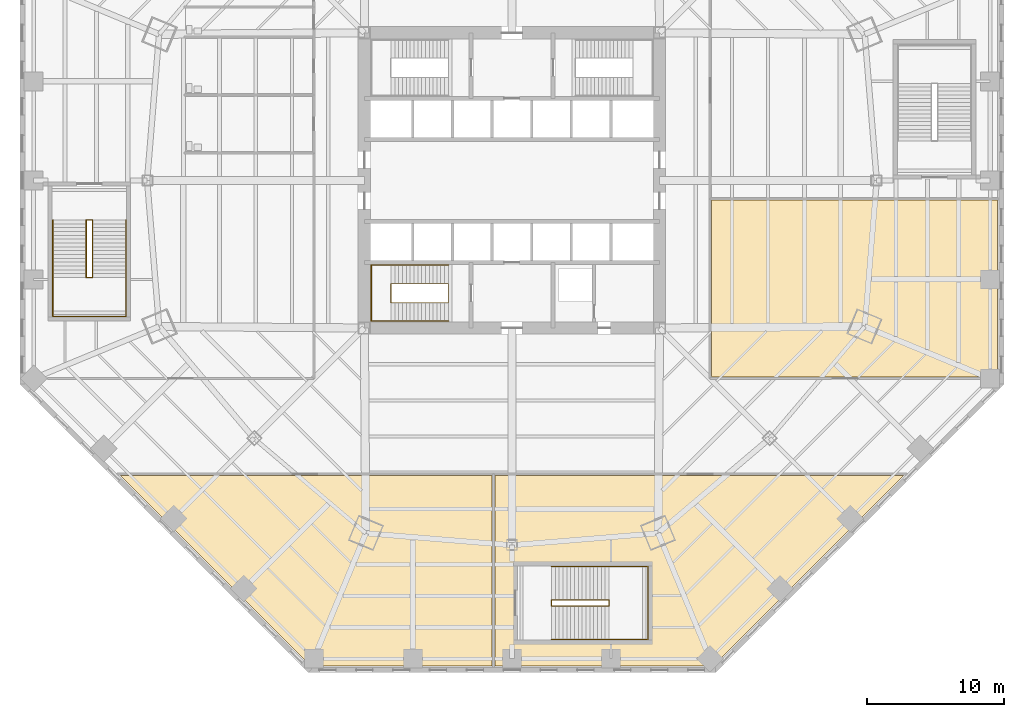
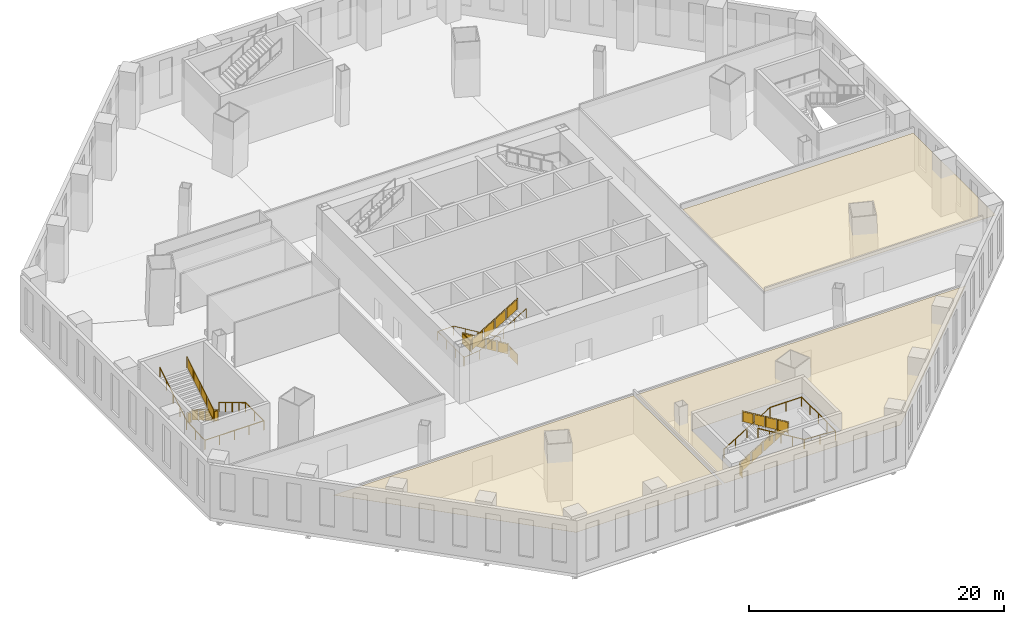
# One storey, part 15 of 18: 6 railings, 3 coverings.
"""IFC4 building model written with IfcOpenShell, lengths in metres."""

from ifc_helpers import new_model, si_unit, direction, frame, origin, origin_2d, place, context, subcontext, project, spatial, polyline, circle, outline, extrude, material, layer, layer_set, type_object, element, save


model = new_model("IFC4")

# Units and contexts
model_context = context("Model", 3, precision=1e-05, world=origin(), true_north=direction((0.0, 1.0)))
body_context = subcontext(model_context, "Body", "Model", "MODEL_VIEW")
ifc_project = project(units=[si_unit("LENGTHUNIT", "METRE"), si_unit("AREAUNIT", "SQUARE_METRE"), si_unit("VOLUMEUNIT", "CUBIC_METRE"), si_unit("PLANEANGLEUNIT", "RADIAN"), si_unit("MASSUNIT", "GRAM", prefix="KILO")], contexts=[model_context])

# Site, building, storey
site_placement = place(None, origin())
site = spatial("IfcSite", under=ifc_project, at=site_placement, CompositionType="ELEMENT")
building_placement = place(site_placement, origin())
building = spatial("IfcBuilding", under=site, at=building_placement, Name="Mashrafa Tower", CompositionType="ELEMENT")
storey_placement = place(building_placement, frame((0.0, 0.0, 18.60009765625)))
storey = spatial("IfcBuildingStorey", under=building, at=storey_placement, Name="L03", CompositionType="ELEMENT", Elevation=18.60009765625)

# Railings
ifc_material_1 = material(Name="Steel guard with glass infill", Category="steel")
railing_type_1 = type_object("IfcRailingType", Name="Stair guard 1100", PredefinedType="GUARDRAIL", material=ifc_material_1)
railing_1_placement = place(storey_placement, frame((-4.64990234375, -8.949951171875, 0.0)))
element("IfcRailing", 1, at=railing_1_placement, inside=storey, type_object=railing_type_1, Name="Stair S3 guard L03", PredefinedType="GUARDRAIL", context=body_context, shape_type="SweptSolid", body=[
    extrude(circle(Radius=0.02392578125, at=origin_2d()), frame((0.0, 0.0, 1.076171875), z_axis=(0.0, 1.0, 0.0), x_axis=(-1.0, 0.0, 0.0)), (0.0, 0.0, 1.0), 1.39990234375),
    extrude(circle(Radius=0.02392578125, at=origin_2d()), frame((0.0, 1.39990234375, 1.076171875), z_axis=(0.0, 0.0, 1.0), x_axis=(1.0, 0.0, 0.0)), (0.0, 0.0, 1.0), 0.168701171875),
    extrude(circle(Radius=0.02392578125, at=origin_2d()), frame((0.0, 1.39990234375, 1.24462890625), z_axis=(-0.856489757249, 0.0, 0.516164020179), x_axis=(0.0, -1.0, 0.0)), (0.0, 0.0, 1.0), 4.904052734375),
    extrude(circle(Radius=0.02392578125, at=origin_2d()), frame((-4.2001953125, 1.39990234375, 3.77587890625), z_axis=(0.0, -1.0, 0.0), x_axis=(1.0, 0.0, 0.0)), (0.0, 0.0, 1.0), 1.39990234375),
    extrude(circle(Radius=0.02392578125, at=origin_2d()), frame((-4.2001953125, 0.0, 3.77587890625), z_axis=(0.0, 0.0, 1.0), x_axis=(1.0, 0.0, 0.0)), (0.0, 0.0, 1.0), 0.168701171875),
    extrude(circle(Radius=0.02392578125, at=origin_2d()), frame((-4.2001953125, 0.0, 3.94482421875), z_axis=(0.856489757249, 0.0, 0.516164020179), x_axis=(0.0, 1.0, 0.0)), (0.0, 0.0, 1.0), 4.904052734375),
    extrude(circle(Radius=0.02099609375, at=origin_2d()), origin(), (0.0, 0.0, 1.0), 1.052001953125),
    extrude(circle(Radius=0.02099609375, at=origin_2d()), frame((0.0, 1.39990234375, 0.0)), (0.0, 0.0, 1.0), 1.052001953125),
    extrude(circle(Radius=0.02099609375, at=origin_2d()), frame((0.0, 1.39990234375, 0.168701171875)), (0.0, 0.0, 1.0), 1.052001953125),
    extrude(circle(Radius=0.02099609375, at=origin_2d()), frame((-1.050048828125, 1.39990234375, 0.801513671875)), (0.0, 0.0, 1.0), 1.052001953125),
    extrude(circle(Radius=0.02099609375, at=origin_2d()), frame((-2.10009765625, 1.39990234375, 1.434326171875)), (0.0, 0.0, 1.0), 1.052001953125),
    extrude(circle(Radius=0.02099609375, at=origin_2d()), frame((-3.150146484375, 1.39990234375, 2.067138671875)), (0.0, 0.0, 1.0), 1.052001953125),
    extrude(circle(Radius=0.02099609375, at=origin_2d()), frame((-4.2001953125, 1.39990234375, 2.699951171875)), (0.0, 0.0, 1.0), 1.052001953125),
    extrude(circle(Radius=0.02099609375, at=origin_2d()), frame((-4.2001953125, 0.0, 2.699951171875)), (0.0, 0.0, 1.0), 1.052001953125),
    extrude(circle(Radius=0.02099609375, at=origin_2d()), frame((-4.2001953125, 0.0, 2.86865234375)), (0.0, 0.0, 1.0), 1.052001953125),
    extrude(circle(Radius=0.02099609375, at=origin_2d()), frame((-3.150146484375, 0.0, 3.50146484375)), (0.0, 0.0, 1.0), 1.052001953125),
    extrude(circle(Radius=0.02099609375, at=origin_2d()), frame((-2.10009765625, 0.0, 4.13427734375)), (0.0, 0.0, 1.0), 1.052001953125),
    extrude(circle(Radius=0.02099609375, at=origin_2d()), frame((-1.050048828125, 0.0, 4.76708984375)), (0.0, 0.0, 1.0), 1.052001953125),
    extrude(circle(Radius=0.02099609375, at=origin_2d()), frame((0.0, 0.0, 5.39990234375)), (0.0, 0.0, 1.0), 1.052001953125),
    extrude(outline(polyline([(0.071044921875, 0.050048828125), (1.328857421875, 0.050048828125), (1.328857421875, 1.001953125), (0.071044921875, 1.001953125), (0.071044921875, 0.050048828125)])), frame((0.006103515625, 0.0, 0.0), z_axis=(1.0, 0.0, 0.0), x_axis=(0.0, 1.0, 0.0)), (0.0, 0.0, 1.0), 0.011962890625),
    extrude(outline(polyline([(0.071044921875, 0.0927734375), (0.97900390625, 0.64013671875), (0.97900390625, 1.592041015625), (0.071044921875, 1.044677734375), (0.071044921875, 0.0927734375)])), frame((0.0, 1.406005859375, 0.168701171875), z_axis=(0.0, 1.0, 0.0), x_axis=(-1.0, 0.0, 0.0)), (0.0, 0.0, 1.0), 0.011962890625),
    extrude(outline(polyline([(1.12109375, 0.7255859375), (2.029052734375, 1.27294921875), (2.029052734375, 2.224853515625), (1.12109375, 1.677490234375), (1.12109375, 0.7255859375)])), frame((0.0, 1.406005859375, 0.168701171875), z_axis=(0.0, 1.0, 0.0), x_axis=(-1.0, 0.0, 0.0)), (0.0, 0.0, 1.0), 0.011962890625),
    extrude(outline(polyline([(2.171142578125, 1.3583984375), (3.0791015625, 1.90576171875), (3.0791015625, 2.857666015625), (2.171142578125, 2.310302734375), (2.171142578125, 1.3583984375)])), frame((0.0, 1.406005859375, 0.168701171875), z_axis=(0.0, 1.0, 0.0), x_axis=(-1.0, 0.0, 0.0)), (0.0, 0.0, 1.0), 0.011962890625),
    extrude(outline(polyline([(3.22119140625, 1.9912109375), (4.129150390625, 2.53857421875), (4.129150390625, 3.490478515625), (3.22119140625, 2.943115234375), (3.22119140625, 1.9912109375)])), frame((0.0, 1.406005859375, 0.168701171875), z_axis=(0.0, 1.0, 0.0), x_axis=(-1.0, 0.0, 0.0)), (0.0, 0.0, 1.0), 0.011962890625),
    extrude(outline(polyline([(0.071044921875, 0.050048828125), (1.328857421875, 0.050048828125), (1.328857421875, 1.001953125), (0.071044921875, 1.001953125), (0.071044921875, 0.050048828125)])), frame((-4.206298828125, 1.39990234375, 2.699951171875), z_axis=(-1.0, 0.0, 0.0), x_axis=(0.0, -1.0, 0.0)), (0.0, 0.0, 1.0), 0.011962890625),
    extrude(outline(polyline([(0.071044921875, 0.0927734375), (0.97900390625, 0.64013671875), (0.97900390625, 1.592041015625), (0.071044921875, 1.044677734375), (0.071044921875, 0.0927734375)])), frame((-4.2001953125, -0.006103515625, 2.86865234375), z_axis=(0.0, -1.0, 0.0), x_axis=(1.0, 0.0, 0.0)), (0.0, 0.0, 1.0), 0.011962890625),
    extrude(outline(polyline([(1.12109375, 0.7255859375), (2.029052734375, 1.27294921875), (2.029052734375, 2.224853515625), (1.12109375, 1.677490234375), (1.12109375, 0.7255859375)])), frame((-4.2001953125, -0.006103515625, 2.86865234375), z_axis=(0.0, -1.0, 0.0), x_axis=(1.0, 0.0, 0.0)), (0.0, 0.0, 1.0), 0.011962890625),
    extrude(outline(polyline([(2.171142578125, 1.3583984375), (3.0791015625, 1.90576171875), (3.0791015625, 2.857666015625), (2.171142578125, 2.310302734375), (2.171142578125, 1.3583984375)])), frame((-4.2001953125, -0.006103515625, 2.86865234375), z_axis=(0.0, -1.0, 0.0), x_axis=(1.0, 0.0, 0.0)), (0.0, 0.0, 1.0), 0.011962890625),
    extrude(outline(polyline([(3.22119140625, 1.9912109375), (4.129150390625, 2.53857421875), (4.129150390625, 3.490478515625), (3.22119140625, 2.943115234375), (3.22119140625, 1.9912109375)])), frame((-4.2001953125, -0.006103515625, 2.86865234375), z_axis=(0.0, -1.0, 0.0), x_axis=(1.0, 0.0, 0.0)), (0.0, 0.0, 1.0), 0.011962890625),
])
railing_2_placement = place(storey_placement, frame((-31.14990234375, -2.89990234375, 0.0)))
element("IfcRailing", 2, at=railing_2_placement, inside=storey, type_object=railing_type_1, Name="Stair P3 guard L03", PredefinedType="GUARDRAIL", context=body_context, shape_type="SweptSolid", body=[
    extrude(circle(Radius=0.02392578125, at=origin_2d()), frame((0.0, 0.0, 1.076171875), z_axis=(1.0, 0.0, 0.0), x_axis=(0.0, 1.0, 0.0)), (0.0, 0.0, 1.0), 0.449951171875),
    extrude(circle(Radius=0.02392578125, at=origin_2d()), frame((0.449951171875, 0.0, 1.076171875), z_axis=(0.0, 0.0, 1.0), x_axis=(1.0, 0.0, 0.0)), (0.0, 0.0, 1.0), 0.168701171875),
    extrude(circle(Radius=0.02392578125, at=origin_2d()), frame((0.449951171875, 0.0, 1.24462890625), z_axis=(0.0, -0.856489757249, 0.516164020179), x_axis=(1.0, 0.0, 0.0)), (0.0, 0.0, 1.0), 4.904052734375),
    extrude(circle(Radius=0.02392578125, at=origin_2d()), frame((0.449951171875, -4.2001953125, 3.77587890625), z_axis=(-1.0, 0.0, 0.0), x_axis=(0.0, -1.0, 0.0)), (0.0, 0.0, 1.0), 0.449951171875),
    extrude(circle(Radius=0.02392578125, at=origin_2d()), frame((0.0, -4.2001953125, 3.77587890625), z_axis=(0.0, 0.0, 1.0), x_axis=(1.0, 0.0, 0.0)), (0.0, 0.0, 1.0), 0.168701171875),
    extrude(circle(Radius=0.02392578125, at=origin_2d()), frame((0.0, -4.2001953125, 3.94482421875), z_axis=(0.0, 0.856489757249, 0.516164020179), x_axis=(-1.0, 0.0, 0.0)), (0.0, 0.0, 1.0), 4.904052734375),
    extrude(circle(Radius=0.02099609375, at=origin_2d()), origin(), (0.0, 0.0, 1.0), 1.052001953125),
    extrude(circle(Radius=0.02099609375, at=origin_2d()), frame((0.449951171875, 0.0, 0.0)), (0.0, 0.0, 1.0), 1.052001953125),
    extrude(circle(Radius=0.02099609375, at=origin_2d()), frame((0.449951171875, 0.0, 0.168701171875)), (0.0, 0.0, 1.0), 1.052001953125),
    extrude(circle(Radius=0.02099609375, at=origin_2d()), frame((0.449951171875, -1.050048828125, 0.801513671875)), (0.0, 0.0, 1.0), 1.052001953125),
    extrude(circle(Radius=0.02099609375, at=origin_2d()), frame((0.449951171875, -2.10009765625, 1.434326171875)), (0.0, 0.0, 1.0), 1.052001953125),
    extrude(circle(Radius=0.02099609375, at=origin_2d()), frame((0.449951171875, -3.150146484375, 2.067138671875)), (0.0, 0.0, 1.0), 1.052001953125),
    extrude(circle(Radius=0.02099609375, at=origin_2d()), frame((0.449951171875, -4.2001953125, 2.699951171875)), (0.0, 0.0, 1.0), 1.052001953125),
    extrude(circle(Radius=0.02099609375, at=origin_2d()), frame((0.0, -4.2001953125, 2.699951171875)), (0.0, 0.0, 1.0), 1.052001953125),
    extrude(circle(Radius=0.02099609375, at=origin_2d()), frame((0.0, -4.2001953125, 2.86865234375)), (0.0, 0.0, 1.0), 1.052001953125),
    extrude(circle(Radius=0.02099609375, at=origin_2d()), frame((0.0, -3.150146484375, 3.50146484375)), (0.0, 0.0, 1.0), 1.052001953125),
    extrude(circle(Radius=0.02099609375, at=origin_2d()), frame((0.0, -2.10009765625, 4.13427734375)), (0.0, 0.0, 1.0), 1.052001953125),
    extrude(circle(Radius=0.02099609375, at=origin_2d()), frame((0.0, -1.050048828125, 4.76708984375)), (0.0, 0.0, 1.0), 1.052001953125),
    extrude(circle(Radius=0.02099609375, at=origin_2d()), frame((0.0, 0.0, 5.39990234375)), (0.0, 0.0, 1.0), 1.052001953125),
    extrude(outline(polyline([(0.071044921875, 0.050048828125), (0.37890625, 0.050048828125), (0.37890625, 1.001953125), (0.071044921875, 1.001953125), (0.071044921875, 0.050048828125)])), frame((0.0, -0.006103515625, 0.0), z_axis=(0.0, -1.0, 0.0), x_axis=(1.0, 0.0, 0.0)), (0.0, 0.0, 1.0), 0.011962890625),
    extrude(outline(polyline([(0.071044921875, 0.0927734375), (0.97900390625, 0.64013671875), (0.97900390625, 1.592041015625), (0.071044921875, 1.044677734375), (0.071044921875, 0.0927734375)])), frame((0.44384765625, 0.0, 0.168701171875), z_axis=(-1.0, 0.0, 0.0), x_axis=(0.0, -1.0, 0.0)), (0.0, 0.0, 1.0), 0.011962890625),
    extrude(outline(polyline([(1.12109375, 0.7255859375), (2.029052734375, 1.27294921875), (2.029052734375, 2.224853515625), (1.12109375, 1.677490234375), (1.12109375, 0.7255859375)])), frame((0.44384765625, 0.0, 0.168701171875), z_axis=(-1.0, 0.0, 0.0), x_axis=(0.0, -1.0, 0.0)), (0.0, 0.0, 1.0), 0.011962890625),
    extrude(outline(polyline([(2.171142578125, 1.3583984375), (3.0791015625, 1.90576171875), (3.0791015625, 2.857666015625), (2.171142578125, 2.310302734375), (2.171142578125, 1.3583984375)])), frame((0.44384765625, 0.0, 0.168701171875), z_axis=(-1.0, 0.0, 0.0), x_axis=(0.0, -1.0, 0.0)), (0.0, 0.0, 1.0), 0.011962890625),
    extrude(outline(polyline([(3.22119140625, 1.9912109375), (4.129150390625, 2.53857421875), (4.129150390625, 3.490478515625), (3.22119140625, 2.943115234375), (3.22119140625, 1.9912109375)])), frame((0.44384765625, 0.0, 0.168701171875), z_axis=(-1.0, 0.0, 0.0), x_axis=(0.0, -1.0, 0.0)), (0.0, 0.0, 1.0), 0.011962890625),
    extrude(outline(polyline([(0.071044921875, 0.050048828125), (0.37890625, 0.050048828125), (0.37890625, 1.001953125), (0.071044921875, 1.001953125), (0.071044921875, 0.050048828125)])), frame((0.449951171875, -4.194091796875, 2.699951171875), z_axis=(0.0, 1.0, 0.0), x_axis=(-1.0, 0.0, 0.0)), (0.0, 0.0, 1.0), 0.011962890625),
    extrude(outline(polyline([(0.071044921875, 0.0927734375), (0.97900390625, 0.64013671875), (0.97900390625, 1.592041015625), (0.071044921875, 1.044677734375), (0.071044921875, 0.0927734375)])), frame((0.006103515625, -4.2001953125, 2.86865234375), z_axis=(1.0, 0.0, 0.0), x_axis=(0.0, 1.0, 0.0)), (0.0, 0.0, 1.0), 0.011962890625),
    extrude(outline(polyline([(1.12109375, 0.7255859375), (2.029052734375, 1.27294921875), (2.029052734375, 2.224853515625), (1.12109375, 1.677490234375), (1.12109375, 0.7255859375)])), frame((0.006103515625, -4.2001953125, 2.86865234375), z_axis=(1.0, 0.0, 0.0), x_axis=(0.0, 1.0, 0.0)), (0.0, 0.0, 1.0), 0.011962890625),
    extrude(outline(polyline([(2.171142578125, 1.3583984375), (3.0791015625, 1.90576171875), (3.0791015625, 2.857666015625), (2.171142578125, 2.310302734375), (2.171142578125, 1.3583984375)])), frame((0.006103515625, -4.2001953125, 2.86865234375), z_axis=(1.0, 0.0, 0.0), x_axis=(0.0, 1.0, 0.0)), (0.0, 0.0, 1.0), 0.011962890625),
    extrude(outline(polyline([(3.22119140625, 1.9912109375), (4.129150390625, 2.53857421875), (4.129150390625, 3.490478515625), (3.22119140625, 2.943115234375), (3.22119140625, 1.9912109375)])), frame((0.006103515625, -4.2001953125, 2.86865234375), z_axis=(1.0, 0.0, 0.0), x_axis=(0.0, 1.0, 0.0)), (0.0, 0.0, 1.0), 0.011962890625),
])
railing_3_placement = place(storey_placement, frame((2.89990234375, -31.14990234375, 0.0)))
element("IfcRailing", 3, at=railing_3_placement, inside=storey, type_object=railing_type_1, Name="Stair P4 guard L03", PredefinedType="GUARDRAIL", context=body_context, shape_type="SweptSolid", body=[
    extrude(circle(Radius=0.02392578125, at=origin_2d()), frame((0.0, 0.0, 1.076171875), z_axis=(0.0, 1.0, 0.0), x_axis=(-1.0, 0.0, 0.0)), (0.0, 0.0, 1.0), 0.449951171875),
    extrude(circle(Radius=0.02392578125, at=origin_2d()), frame((0.0, 0.449951171875, 1.076171875), z_axis=(0.0, 0.0, 1.0), x_axis=(1.0, 0.0, 0.0)), (0.0, 0.0, 1.0), 0.168701171875),
    extrude(circle(Radius=0.02392578125, at=origin_2d()), frame((0.0, 0.449951171875, 1.24462890625), z_axis=(0.856489757249, 0.0, 0.516164020179), x_axis=(0.0, 1.0, 0.0)), (0.0, 0.0, 1.0), 4.904052734375),
    extrude(circle(Radius=0.02392578125, at=origin_2d()), frame((4.2001953125, 0.449951171875, 3.77587890625), z_axis=(0.0, -1.0, 0.0), x_axis=(1.0, 0.0, 0.0)), (0.0, 0.0, 1.0), 0.449951171875),
    extrude(circle(Radius=0.02392578125, at=origin_2d()), frame((4.2001953125, 0.0, 3.77587890625), z_axis=(0.0, 0.0, 1.0), x_axis=(1.0, 0.0, 0.0)), (0.0, 0.0, 1.0), 0.168701171875),
    extrude(circle(Radius=0.02392578125, at=origin_2d()), frame((4.2001953125, 0.0, 3.94482421875), z_axis=(-0.856489757249, 0.0, 0.516164020179), x_axis=(0.0, -1.0, 0.0)), (0.0, 0.0, 1.0), 4.904052734375),
    extrude(circle(Radius=0.02099609375, at=origin_2d()), origin(), (0.0, 0.0, 1.0), 1.052001953125),
    extrude(circle(Radius=0.02099609375, at=origin_2d()), frame((0.0, 0.449951171875, 0.0)), (0.0, 0.0, 1.0), 1.052001953125),
    extrude(circle(Radius=0.02099609375, at=origin_2d()), frame((0.0, 0.449951171875, 0.168701171875)), (0.0, 0.0, 1.0), 1.052001953125),
    extrude(circle(Radius=0.02099609375, at=origin_2d()), frame((1.050048828125, 0.449951171875, 0.801513671875)), (0.0, 0.0, 1.0), 1.052001953125),
    extrude(circle(Radius=0.02099609375, at=origin_2d()), frame((2.10009765625, 0.449951171875, 1.434326171875)), (0.0, 0.0, 1.0), 1.052001953125),
    extrude(circle(Radius=0.02099609375, at=origin_2d()), frame((3.150146484375, 0.449951171875, 2.067138671875)), (0.0, 0.0, 1.0), 1.052001953125),
    extrude(circle(Radius=0.02099609375, at=origin_2d()), frame((4.2001953125, 0.449951171875, 2.699951171875)), (0.0, 0.0, 1.0), 1.052001953125),
    extrude(circle(Radius=0.02099609375, at=origin_2d()), frame((4.2001953125, 0.0, 2.699951171875)), (0.0, 0.0, 1.0), 1.052001953125),
    extrude(circle(Radius=0.02099609375, at=origin_2d()), frame((4.2001953125, 0.0, 2.86865234375)), (0.0, 0.0, 1.0), 1.052001953125),
    extrude(circle(Radius=0.02099609375, at=origin_2d()), frame((3.150146484375, 0.0, 3.50146484375)), (0.0, 0.0, 1.0), 1.052001953125),
    extrude(circle(Radius=0.02099609375, at=origin_2d()), frame((2.10009765625, 0.0, 4.13427734375)), (0.0, 0.0, 1.0), 1.052001953125),
    extrude(circle(Radius=0.02099609375, at=origin_2d()), frame((1.050048828125, 0.0, 4.76708984375)), (0.0, 0.0, 1.0), 1.052001953125),
    extrude(circle(Radius=0.02099609375, at=origin_2d()), frame((0.0, 0.0, 5.39990234375)), (0.0, 0.0, 1.0), 1.052001953125),
    extrude(outline(polyline([(0.071044921875, 0.050048828125), (0.37890625, 0.050048828125), (0.37890625, 1.001953125), (0.071044921875, 1.001953125), (0.071044921875, 0.050048828125)])), frame((0.006103515625, 0.0, 0.0), z_axis=(1.0, 0.0, 0.0), x_axis=(0.0, 1.0, 0.0)), (0.0, 0.0, 1.0), 0.011962890625),
    extrude(outline(polyline([(0.071044921875, 0.0927734375), (0.97900390625, 0.64013671875), (0.97900390625, 1.592041015625), (0.071044921875, 1.044677734375), (0.071044921875, 0.0927734375)])), frame((0.0, 0.44384765625, 0.168701171875), z_axis=(0.0, -1.0, 0.0), x_axis=(1.0, 0.0, 0.0)), (0.0, 0.0, 1.0), 0.011962890625),
    extrude(outline(polyline([(1.12109375, 0.7255859375), (2.029052734375, 1.27294921875), (2.029052734375, 2.224853515625), (1.12109375, 1.677490234375), (1.12109375, 0.7255859375)])), frame((0.0, 0.44384765625, 0.168701171875), z_axis=(0.0, -1.0, 0.0), x_axis=(1.0, 0.0, 0.0)), (0.0, 0.0, 1.0), 0.011962890625),
    extrude(outline(polyline([(2.171142578125, 1.3583984375), (3.0791015625, 1.90576171875), (3.0791015625, 2.857666015625), (2.171142578125, 2.310302734375), (2.171142578125, 1.3583984375)])), frame((0.0, 0.44384765625, 0.168701171875), z_axis=(0.0, -1.0, 0.0), x_axis=(1.0, 0.0, 0.0)), (0.0, 0.0, 1.0), 0.011962890625),
    extrude(outline(polyline([(3.22119140625, 1.9912109375), (4.129150390625, 2.53857421875), (4.129150390625, 3.490478515625), (3.22119140625, 2.943115234375), (3.22119140625, 1.9912109375)])), frame((0.0, 0.44384765625, 0.168701171875), z_axis=(0.0, -1.0, 0.0), x_axis=(1.0, 0.0, 0.0)), (0.0, 0.0, 1.0), 0.011962890625),
    extrude(outline(polyline([(0.071044921875, 0.050048828125), (0.37890625, 0.050048828125), (0.37890625, 1.001953125), (0.071044921875, 1.001953125), (0.071044921875, 0.050048828125)])), frame((4.194091796875, 0.449951171875, 2.699951171875), z_axis=(-1.0, 0.0, 0.0), x_axis=(0.0, -1.0, 0.0)), (0.0, 0.0, 1.0), 0.011962890625),
    extrude(outline(polyline([(0.071044921875, 0.0927734375), (0.97900390625, 0.64013671875), (0.97900390625, 1.592041015625), (0.071044921875, 1.044677734375), (0.071044921875, 0.0927734375)])), frame((4.2001953125, 0.006103515625, 2.86865234375), z_axis=(0.0, 1.0, 0.0), x_axis=(-1.0, 0.0, 0.0)), (0.0, 0.0, 1.0), 0.011962890625),
    extrude(outline(polyline([(1.12109375, 0.7255859375), (2.029052734375, 1.27294921875), (2.029052734375, 2.224853515625), (1.12109375, 1.677490234375), (1.12109375, 0.7255859375)])), frame((4.2001953125, 0.006103515625, 2.86865234375), z_axis=(0.0, 1.0, 0.0), x_axis=(-1.0, 0.0, 0.0)), (0.0, 0.0, 1.0), 0.011962890625),
    extrude(outline(polyline([(2.171142578125, 1.3583984375), (3.0791015625, 1.90576171875), (3.0791015625, 2.857666015625), (2.171142578125, 2.310302734375), (2.171142578125, 1.3583984375)])), frame((4.2001953125, 0.006103515625, 2.86865234375), z_axis=(0.0, 1.0, 0.0), x_axis=(-1.0, 0.0, 0.0)), (0.0, 0.0, 1.0), 0.011962890625),
    extrude(outline(polyline([(3.22119140625, 1.9912109375), (4.129150390625, 2.53857421875), (4.129150390625, 3.490478515625), (3.22119140625, 2.943115234375), (3.22119140625, 1.9912109375)])), frame((4.2001953125, 0.006103515625, 2.86865234375), z_axis=(0.0, 1.0, 0.0), x_axis=(-1.0, 0.0, 0.0)), (0.0, 0.0, 1.0), 0.011962890625),
])
ifc_material_2 = material(Name="Steel", Category="steel")
railing_type_2 = type_object("IfcRailingType", Name="Stair handrail 900", PredefinedType="HANDRAIL", material=ifc_material_2)
railing_4_placement = place(storey_placement, frame((-4.64990234375, -6.199951171875, 0.168701171875)))
element("IfcRailing", 4, at=railing_4_placement, inside=storey, type_object=railing_type_2, Name="Stair S3 handrail L03", PredefinedType="HANDRAIL", context=body_context, shape_type="SweptSolid", body=[
    extrude(circle(Radius=0.02392578125, at=origin_2d()), frame((0.0, 0.0, 0.8759765625), z_axis=(-0.856489757249, 0.0, 0.516164020179), x_axis=(0.0, -1.0, 0.0)), (0.0, 0.0, 1.0), 4.904052734375),
    extrude(circle(Radius=0.02392578125, at=origin_2d()), frame((-4.2001953125, 0.0, 3.4072265625), z_axis=(-1.0, 0.0, 0.0), x_axis=(0.0, -1.0, 0.0)), (0.0, 0.0, 1.0), 1.449951171875),
    extrude(circle(Radius=0.02392578125, at=origin_2d()), frame((-5.650146484375, 0.0, 3.4072265625), z_axis=(0.0, -1.0, 0.0), x_axis=(1.0, 0.0, 0.0)), (0.0, 0.0, 1.0), 4.10009765625),
    extrude(circle(Radius=0.02392578125, at=origin_2d()), frame((-5.650146484375, -4.10009765625, 3.4072265625), z_axis=(0.993299345603, 0.0, 0.115569935648), x_axis=(0.0, 1.0, 0.0)), (0.0, 0.0, 1.0), 1.459716796875),
    extrude(circle(Radius=0.02392578125, at=origin_2d()), frame((-4.2001953125, -4.10009765625, 3.57568359375), z_axis=(0.856489757249, 0.0, 0.516164020179), x_axis=(0.0, 1.0, 0.0)), (0.0, 0.0, 1.0), 4.904052734375),
    extrude(circle(Radius=0.02099609375, at=origin_2d()), origin(), (0.0, 0.0, 1.0), 0.851806640625),
    extrude(circle(Radius=0.02099609375, at=origin_2d()), frame((-1.050048828125, 0.0, 0.6328125)), (0.0, 0.0, 1.0), 0.851806640625),
    extrude(circle(Radius=0.02099609375, at=origin_2d()), frame((-2.10009765625, 0.0, 1.265625)), (0.0, 0.0, 1.0), 0.851806640625),
    extrude(circle(Radius=0.02099609375, at=origin_2d()), frame((-3.150146484375, 0.0, 1.8984375)), (0.0, 0.0, 1.0), 0.851806640625),
    extrude(circle(Radius=0.02099609375, at=origin_2d()), frame((-4.2001953125, 0.0, 2.53125)), (0.0, 0.0, 1.0), 0.851806640625),
    extrude(circle(Radius=0.02099609375, at=origin_2d()), frame((-5.650146484375, 0.0, 2.53125)), (0.0, 0.0, 1.0), 0.851806640625),
    extrude(circle(Radius=0.02099609375, at=origin_2d()), frame((-5.650146484375, -1.36669921875, 2.53125)), (0.0, 0.0, 1.0), 0.851806640625),
    extrude(circle(Radius=0.02099609375, at=origin_2d()), frame((-5.650146484375, -2.7333984375, 2.53125)), (0.0, 0.0, 1.0), 0.851806640625),
    extrude(circle(Radius=0.02099609375, at=origin_2d()), frame((-5.650146484375, -4.10009765625, 2.53125)), (0.0, 0.0, 1.0), 0.851806640625),
    extrude(circle(Radius=0.02099609375, at=origin_2d()), frame((-4.2001953125, -4.10009765625, 2.699951171875)), (0.0, 0.0, 1.0), 0.851806640625),
    extrude(circle(Radius=0.02099609375, at=origin_2d()), frame((-3.150146484375, -4.10009765625, 3.332763671875)), (0.0, 0.0, 1.0), 0.851806640625),
    extrude(circle(Radius=0.02099609375, at=origin_2d()), frame((-2.10009765625, -4.10009765625, 3.965576171875)), (0.0, 0.0, 1.0), 0.851806640625),
    extrude(circle(Radius=0.02099609375, at=origin_2d()), frame((-1.050048828125, -4.10009765625, 4.598388671875)), (0.0, 0.0, 1.0), 0.851806640625),
    extrude(circle(Radius=0.02099609375, at=origin_2d()), frame((0.0, -4.10009765625, 5.231201171875)), (0.0, 0.0, 1.0), 0.851806640625),
])
railing_5_placement = place(storey_placement, frame((-28.25, -2.89990234375, 0.168701171875)))
element("IfcRailing", 5, at=railing_5_placement, inside=storey, type_object=railing_type_2, Name="Stair P3 handrail L03", PredefinedType="HANDRAIL", context=body_context, shape_type="SweptSolid", body=[
    extrude(circle(Radius=0.02392578125, at=origin_2d()), frame((0.0, 0.0, 0.8759765625), z_axis=(0.0, -0.856489757249, 0.516164020179), x_axis=(1.0, 0.0, 0.0)), (0.0, 0.0, 1.0), 4.904052734375),
    extrude(circle(Radius=0.02392578125, at=origin_2d()), frame((0.0, -4.2001953125, 3.4072265625), z_axis=(0.0, -1.0, 0.0), x_axis=(1.0, 0.0, 0.0)), (0.0, 0.0, 1.0), 2.849853515625),
    extrude(circle(Radius=0.02392578125, at=origin_2d()), frame((0.0, -7.050048828125, 3.4072265625), z_axis=(-1.0, 0.0, 0.0), x_axis=(0.0, -1.0, 0.0)), (0.0, 0.0, 1.0), 5.35009765625),
    extrude(circle(Radius=0.02392578125, at=origin_2d()), frame((-5.35009765625, -7.050048828125, 3.4072265625), z_axis=(0.0, 0.998252482393, 0.059092989406), x_axis=(-1.0, 0.0, 0.0)), (0.0, 0.0, 1.0), 2.854736328125),
    extrude(circle(Radius=0.02392578125, at=origin_2d()), frame((-5.35009765625, -4.2001953125, 3.57568359375), z_axis=(0.0, 0.856489757249, 0.516164020179), x_axis=(-1.0, 0.0, 0.0)), (0.0, 0.0, 1.0), 4.904052734375),
    extrude(circle(Radius=0.02099609375, at=origin_2d()), origin(), (0.0, 0.0, 1.0), 0.851806640625),
    extrude(circle(Radius=0.02099609375, at=origin_2d()), frame((0.0, -1.050048828125, 0.6328125)), (0.0, 0.0, 1.0), 0.851806640625),
    extrude(circle(Radius=0.02099609375, at=origin_2d()), frame((0.0, -2.10009765625, 1.265625)), (0.0, 0.0, 1.0), 0.851806640625),
    extrude(circle(Radius=0.02099609375, at=origin_2d()), frame((0.0, -3.150146484375, 1.8984375)), (0.0, 0.0, 1.0), 0.851806640625),
    extrude(circle(Radius=0.02099609375, at=origin_2d()), frame((0.0, -4.2001953125, 2.53125)), (0.0, 0.0, 1.0), 0.851806640625),
    extrude(circle(Radius=0.02099609375, at=origin_2d()), frame((0.0, -5.625, 2.53125)), (0.0, 0.0, 1.0), 0.851806640625),
    extrude(circle(Radius=0.02099609375, at=origin_2d()), frame((0.0, -7.050048828125, 2.53125)), (0.0, 0.0, 1.0), 0.851806640625),
    extrude(circle(Radius=0.02099609375, at=origin_2d()), frame((-1.33740234375, -7.050048828125, 2.53125)), (0.0, 0.0, 1.0), 0.851806640625),
    extrude(circle(Radius=0.02099609375, at=origin_2d()), frame((-2.675048828125, -7.050048828125, 2.53125)), (0.0, 0.0, 1.0), 0.851806640625),
    extrude(circle(Radius=0.02099609375, at=origin_2d()), frame((-4.0126953125, -7.050048828125, 2.53125)), (0.0, 0.0, 1.0), 0.851806640625),
    extrude(circle(Radius=0.02099609375, at=origin_2d()), frame((-5.35009765625, -7.050048828125, 2.53125)), (0.0, 0.0, 1.0), 0.851806640625),
    extrude(circle(Radius=0.02099609375, at=origin_2d()), frame((-5.35009765625, -5.625, 2.61572265625)), (0.0, 0.0, 1.0), 0.851806640625),
    extrude(circle(Radius=0.02099609375, at=origin_2d()), frame((-5.35009765625, -4.2001953125, 2.699951171875)), (0.0, 0.0, 1.0), 0.851806640625),
    extrude(circle(Radius=0.02099609375, at=origin_2d()), frame((-5.35009765625, -3.150146484375, 3.332763671875)), (0.0, 0.0, 1.0), 0.851806640625),
    extrude(circle(Radius=0.02099609375, at=origin_2d()), frame((-5.35009765625, -2.10009765625, 3.965576171875)), (0.0, 0.0, 1.0), 0.851806640625),
    extrude(circle(Radius=0.02099609375, at=origin_2d()), frame((-5.35009765625, -1.050048828125, 4.598388671875)), (0.0, 0.0, 1.0), 0.851806640625),
    extrude(circle(Radius=0.02099609375, at=origin_2d()), frame((-5.35009765625, 0.0, 5.231201171875)), (0.0, 0.0, 1.0), 0.851806640625),
])
railing_6_placement = place(storey_placement, frame((2.89990234375, -28.25, 0.168701171875)))
element("IfcRailing", 6, at=railing_6_placement, inside=storey, type_object=railing_type_2, Name="Stair P4 handrail L03", PredefinedType="HANDRAIL", context=body_context, shape_type="SweptSolid", body=[
    extrude(circle(Radius=0.02392578125, at=origin_2d()), frame((0.0, 0.0, 0.8759765625), z_axis=(0.856489757249, 0.0, 0.516164020179), x_axis=(0.0, 1.0, 0.0)), (0.0, 0.0, 1.0), 4.904052734375),
    extrude(circle(Radius=0.02392578125, at=origin_2d()), frame((4.2001953125, 0.0, 3.4072265625), z_axis=(1.0, 0.0, 0.0), x_axis=(0.0, 1.0, 0.0)), (0.0, 0.0, 1.0), 2.849853515625),
    extrude(circle(Radius=0.02392578125, at=origin_2d()), frame((7.050048828125, 0.0, 3.4072265625), z_axis=(0.0, -1.0, 0.0), x_axis=(1.0, 0.0, 0.0)), (0.0, 0.0, 1.0), 5.35009765625),
    extrude(circle(Radius=0.02392578125, at=origin_2d()), frame((7.050048828125, -5.35009765625, 3.4072265625), z_axis=(-0.998252482393, 0.0, 0.059092989406), x_axis=(0.0, -1.0, 0.0)), (0.0, 0.0, 1.0), 2.854736328125),
    extrude(circle(Radius=0.02392578125, at=origin_2d()), frame((4.2001953125, -5.35009765625, 3.57568359375), z_axis=(-0.856489757249, 0.0, 0.516164020179), x_axis=(0.0, -1.0, 0.0)), (0.0, 0.0, 1.0), 4.904052734375),
    extrude(circle(Radius=0.02099609375, at=origin_2d()), origin(), (0.0, 0.0, 1.0), 0.851806640625),
    extrude(circle(Radius=0.02099609375, at=origin_2d()), frame((1.050048828125, 0.0, 0.6328125)), (0.0, 0.0, 1.0), 0.851806640625),
    extrude(circle(Radius=0.02099609375, at=origin_2d()), frame((2.10009765625, 0.0, 1.265625)), (0.0, 0.0, 1.0), 0.851806640625),
    extrude(circle(Radius=0.02099609375, at=origin_2d()), frame((3.150146484375, 0.0, 1.8984375)), (0.0, 0.0, 1.0), 0.851806640625),
    extrude(circle(Radius=0.02099609375, at=origin_2d()), frame((4.2001953125, 0.0, 2.53125)), (0.0, 0.0, 1.0), 0.851806640625),
    extrude(circle(Radius=0.02099609375, at=origin_2d()), frame((5.625, 0.0, 2.53125)), (0.0, 0.0, 1.0), 0.851806640625),
    extrude(circle(Radius=0.02099609375, at=origin_2d()), frame((7.050048828125, 0.0, 2.53125)), (0.0, 0.0, 1.0), 0.851806640625),
    extrude(circle(Radius=0.02099609375, at=origin_2d()), frame((7.050048828125, -1.33740234375, 2.53125)), (0.0, 0.0, 1.0), 0.851806640625),
    extrude(circle(Radius=0.02099609375, at=origin_2d()), frame((7.050048828125, -2.675048828125, 2.53125)), (0.0, 0.0, 1.0), 0.851806640625),
    extrude(circle(Radius=0.02099609375, at=origin_2d()), frame((7.050048828125, -4.0126953125, 2.53125)), (0.0, 0.0, 1.0), 0.851806640625),
    extrude(circle(Radius=0.02099609375, at=origin_2d()), frame((7.050048828125, -5.35009765625, 2.53125)), (0.0, 0.0, 1.0), 0.851806640625),
    extrude(circle(Radius=0.02099609375, at=origin_2d()), frame((5.625, -5.35009765625, 2.61572265625)), (0.0, 0.0, 1.0), 0.851806640625),
    extrude(circle(Radius=0.02099609375, at=origin_2d()), frame((4.2001953125, -5.35009765625, 2.699951171875)), (0.0, 0.0, 1.0), 0.851806640625),
    extrude(circle(Radius=0.02099609375, at=origin_2d()), frame((3.150146484375, -5.35009765625, 3.332763671875)), (0.0, 0.0, 1.0), 0.851806640625),
    extrude(circle(Radius=0.02099609375, at=origin_2d()), frame((2.10009765625, -5.35009765625, 3.965576171875)), (0.0, 0.0, 1.0), 0.851806640625),
    extrude(circle(Radius=0.02099609375, at=origin_2d()), frame((1.050048828125, -5.35009765625, 4.598388671875)), (0.0, 0.0, 1.0), 0.851806640625),
    extrude(circle(Radius=0.02099609375, at=origin_2d()), frame((0.0, -5.35009765625, 5.231201171875)), (0.0, 0.0, 1.0), 0.851806640625),
])

# Coverings
ifc_material_3 = material(Name="Mineral fibre tile on suspension grid")
ifc_layer = layer(ifc_material_3, 0.014892578125)
ifc_layer_set = layer_set([ifc_layer], Name="Suspended ceiling mineral tile 15")
covering_type = type_object("IfcCoveringType", Name="Suspended ceiling mineral tile 15", PredefinedType="CEILING", material=ifc_layer_set)
covering_1_placement = place(storey_placement, frame((0.0, 0.0, 3.64990234375)))
element("IfcCovering", 7, at=covering_1_placement, inside=storey, type_object=covering_type, Name="Ceiling Retail Unit 302", PredefinedType="CEILING", context=body_context, shape_type="SweptSolid", body=[
    extrude(outline(polyline([(14.60009765625, -14.39990234375), (14.60009765625, -1.449951171875), (35.550048828125, -1.449951171875), (35.550048828125, -14.39990234375), (14.60009765625, -14.39990234375)])), origin(), (0.0, 0.0, 1.0), 0.014892578125),
])
covering_2_placement = place(storey_placement, frame((0.0, 0.0, 3.64990234375)))
element("IfcCovering", 8, at=covering_2_placement, inside=storey, type_object=covering_type, Name="Ceiling Retail Unit 303", PredefinedType="CEILING", context=body_context, shape_type="SweptSolid", body=[
    extrude(outline(polyline([(-1.25, -21.60009765625), (28.67529296875, -21.60009765625), (14.725341796875, -35.550048828125), (-1.25, -35.550048828125), (-1.25, -21.60009765625)]), holes=[polyline([(0.14990234375, -27.949951171875), (0.14990234375, -33.89990234375), (10.25, -33.89990234375), (10.25, -27.949951171875), (0.14990234375, -27.949951171875)])]), origin(), (0.0, 0.0, 1.0), 0.014892578125),
])
covering_3_placement = place(storey_placement, frame((0.0, 0.0, 3.64990234375)))
element("IfcCovering", 9, at=covering_3_placement, inside=storey, type_object=covering_type, Name="Ceiling Retail Unit 304", PredefinedType="CEILING", context=body_context, shape_type="SweptSolid", body=[
    extrude(outline(polyline([(-1.449951171875, -21.60009765625), (-1.449951171875, -35.550048828125), (-14.725341796875, -35.550048828125), (-28.67529296875, -21.60009765625), (-1.449951171875, -21.60009765625)])), origin(), (0.0, 0.0, 1.0), 0.014892578125),
])

save(model, "model.ifc")
